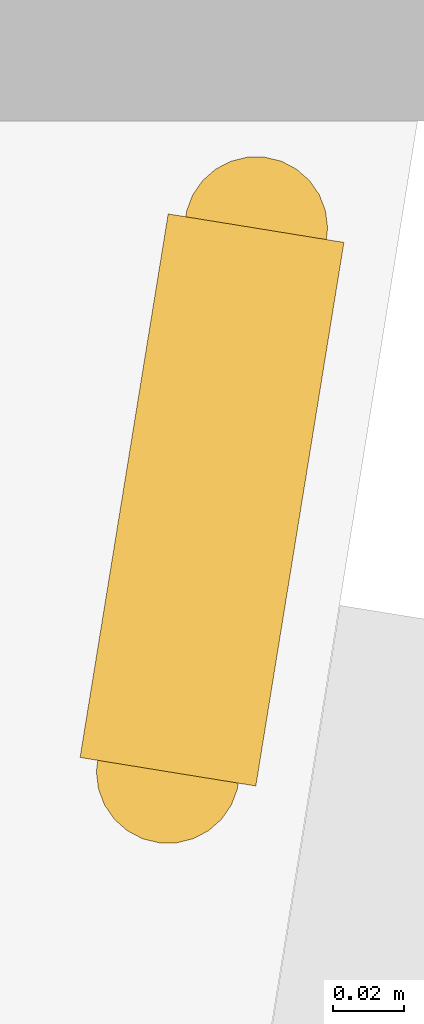
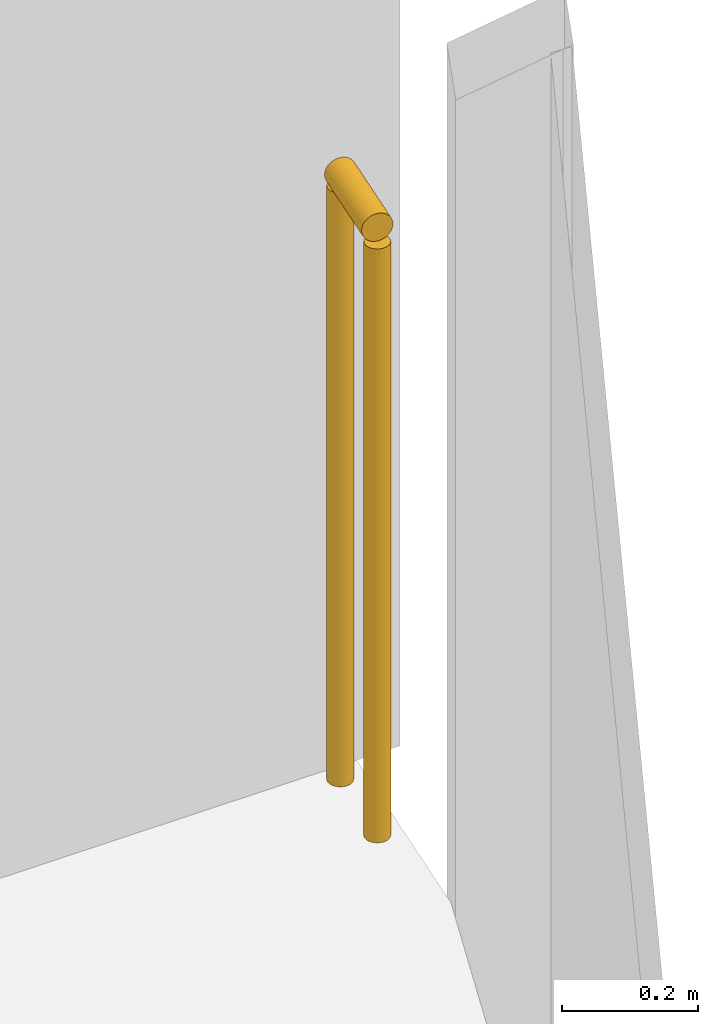
# One storey, part 33 of 34: 1 railing.
"""IFC4 building model written with IfcOpenShell, lengths in metres."""

from ifc_helpers import new_model, si_unit, direction, frame, origin, origin_2d, place, context, subcontext, project, spatial, circle, extrude, material, type_object, element, save


model = new_model("IFC4")

# Units and contexts
model_context = context("Model", 3, precision=1e-05, world=origin(), true_north=direction((0.0, 1.0)))
body_context = subcontext(model_context, "Body", "Model", "MODEL_VIEW")
ifc_project = project(units=[si_unit("LENGTHUNIT", "METRE"), si_unit("AREAUNIT", "SQUARE_METRE"), si_unit("VOLUMEUNIT", "CUBIC_METRE"), si_unit("PLANEANGLEUNIT", "RADIAN"), si_unit("MASSUNIT", "GRAM", prefix="KILO")], contexts=[model_context])

# Site, building, storey
site_placement = place(None, origin())
site = spatial("IfcSite", under=ifc_project, at=site_placement, CompositionType="ELEMENT")
building_placement = place(site_placement, origin())
building = spatial("IfcBuilding", under=site, at=building_placement, Name="Orlundy Tower", CompositionType="ELEMENT")
storey_placement = place(building_placement, frame((0.0, 0.0, 134.199951171875)))
storey = spatial("IfcBuildingStorey", under=building, at=storey_placement, Name="L34", CompositionType="ELEMENT", Elevation=134.199951171875)

# Railing
ifc_material = material(Name="Stainless steel bronze finish", Category="steel")
railing_type = type_object("IfcRailingType", Name="TG1 terrace guard", PredefinedType="GUARDRAIL", material=ifc_material)
railing_placement = place(storey_placement, frame((57.083984375, -19.489013671875, 0.0)))
element("IfcRailing", 1, at=railing_placement, inside=storey, type_object=railing_type, Name="Guard TG-L34-E01", PredefinedType="GUARDRAIL", context=body_context, shape_type="SweptSolid", body=[
    extrude(circle(Radius=0.02490234375, at=origin_2d()), frame((0.0, 0.0, 1.09521484375), z_axis=(-0.160029432686, -0.987112243199, 0.0), x_axis=(0.987112243199, -0.160029432686, 0.0)), (0.0, 0.0, 1.0), 0.154052734375),
    extrude(circle(Radius=0.02001953125, at=origin_2d()), origin(), (0.0, 0.0, 1.0), 1.070068359375),
    extrude(circle(Radius=0.02001953125, at=origin_2d()), frame((-0.024658203125, -0.152099609375, 0.0)), (0.0, 0.0, 1.0), 1.070068359375),
])

save(model, "model.ifc")
